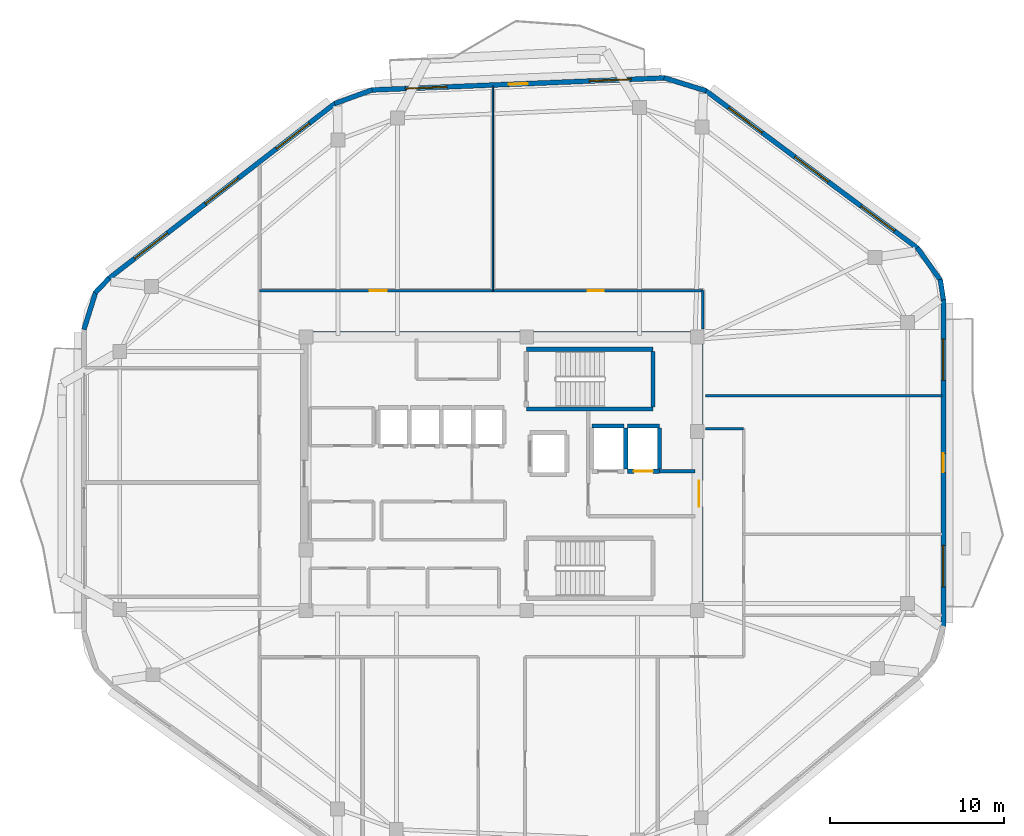
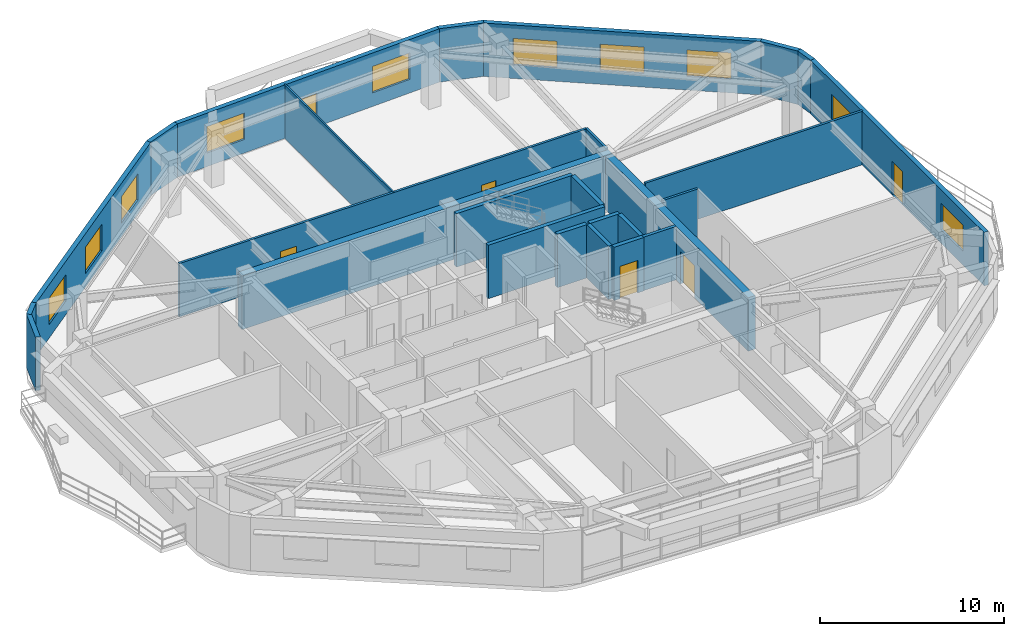
# One storey, part 10 of 13: 26 walls, 10 windows, 6 doors, 16 openings.
"""IFC4 building model written with IfcOpenShell, lengths in metres."""

from ifc_helpers import new_model, si_unit, direction, frame, frame_2d, origin, place, context, subcontext, project, spatial, rectangle, extrude, material, layer, layer_set, type_object, element, fill, save


model = new_model("IFC4")

# Units and contexts
model_context = context("Model", 3, precision=1e-05, world=origin(), true_north=direction((0.0, 1.0)))
body_context = subcontext(model_context, "Body", "Model", "MODEL_VIEW")
ifc_project = project(units=[si_unit("LENGTHUNIT", "METRE"), si_unit("AREAUNIT", "SQUARE_METRE"), si_unit("VOLUMEUNIT", "CUBIC_METRE"), si_unit("PLANEANGLEUNIT", "RADIAN"), si_unit("MASSUNIT", "GRAM", prefix="KILO")], contexts=[model_context])

# Site, building, storey
site_placement = place(None, origin())
site = spatial("IfcSite", under=ifc_project, at=site_placement, CompositionType="ELEMENT")
building_placement = place(site_placement, origin())
building = spatial("IfcBuilding", under=site, at=building_placement, Name="Zulverin Broadcast Headquarters", CompositionType="ELEMENT")
storey_placement = place(building_placement, frame((0.0, 0.0, 301.0)))
storey = spatial("IfcBuildingStorey", under=building, at=storey_placement, Name="L77", CompositionType="ELEMENT", Elevation=301.0)

# Wall
ifc_material_1 = material(Name="Concrete C50/60", Category="concrete")
ifc_layer_1 = layer(ifc_material_1, 0.449951171875, Name="Concrete C50/60", Category="concrete")
ifc_layer_set_1 = layer_set([ifc_layer_1], Name="Concrete C50/60")
wall_type_1 = type_object("IfcWallType", Name="WL-CORE-450", PredefinedType="SHEAR", material=ifc_layer_set_1)
wall_1_placement = place(storey_placement, frame((25.39990234375, 33.175048828125, 0.0), z_axis=(0.0, 0.0, 1.0), x_axis=(1.0, 0.0, 0.0)))
element("IfcWall", 1, at=wall_1_placement, inside=storey, type_object=wall_type_1, Name="L77 Core North Shear Wall", PredefinedType="SHEAR", context=body_context, shape_type="SweptSolid", body=[
    extrude(rectangle(XDim=23.2001953125, YDim=0.449951171875, at=frame_2d((11.60009765625, 0.0))), origin(), (0.0, 0.0, 1.0), 3.5400390625),
])

# Wall, opening, door
wall_2_placement = place(storey_placement, frame((48.375, 17.449951171875, 0.0), z_axis=(0.0, 0.0, 1.0), x_axis=(0.0, 1.0, 0.0)))
wall_2 = element("IfcWall", 2, at=wall_2_placement, inside=storey, type_object=wall_type_1, Name="L77 Core East Shear Wall", PredefinedType="SHEAR", context=body_context, shape_type="SweptSolid", body=[
    extrude(rectangle(XDim=15.5, YDim=0.449951171875, at=frame_2d((7.75, 0.0))), origin(), (0.0, 0.0, 1.0), 3.5400390625),
])
opening_1_placement = place(wall_2_placement, frame((5.85009765625, 0.0, 0.0)))
opening_1 = element("IfcOpeningElement", 3, at=opening_1_placement, cuts=wall_2, Name="Opening D-L77-CE1", PredefinedType="OPENING", context=body_context, shape_type="SweptSolid", body=[
    extrude(rectangle(XDim=1.5, YDim=2.14990234375, at=frame_2d((0.75, 1.074951171875))), frame((0.0, 0.23486328125, 0.0), z_axis=(0.0, -1.0, 0.0), x_axis=(1.0, 0.0, 0.0)), (0.0, 0.0, 1.0), 0.469970703125),
])
ifc_material_2 = material(Name="Fire-rated glazed steel frame", Category="steel")
door_type_1 = type_object("IfcDoorType", Name="DR-COR-1500", OperationType="DOUBLE_DOOR_SINGLE_SWING", PredefinedType="DOOR", material=ifc_material_2)
door_1_placement = place(opening_1_placement, origin())
door_1 = element("IfcDoor", 4, at=door_1_placement, inside=storey, type_object=door_type_1, Name="L77 Firefighting Lobby East Corridor Door", OperationType="DOUBLE_DOOR_SINGLE_SWING", OverallHeight=2.14990234375, OverallWidth=1.5, PredefinedType="DOOR", context=body_context, shape_type="SweptSolid", body=[
    extrude(rectangle(XDim=1.5, YDim=2.14990234375, at=frame_2d((0.75, 1.074951171875))), frame((0.0, 0.02490234375, 0.0), z_axis=(0.0, -1.0, 0.0), x_axis=(1.0, 0.0, 0.0)), (0.0, 0.0, 1.0), 0.050048828125),
])
fill(opening_1, door_1)

# Wall, openings, door, windows
ifc_material_3 = material(Name="Insulated pale-metal clad concrete spandrel C40/50", Category="concrete")
ifc_layer_2 = layer(ifc_material_3, 0.280029296875, Name="Insulated pale-metal clad concrete spandrel C40/50", Category="concrete")
ifc_layer_set_2 = layer_set([ifc_layer_2], Name="Insulated pale-metal clad concrete spandrel C40/50")
wall_type_2 = type_object("IfcWallType", Name="WL-EXT-280", PredefinedType="STANDARD", material=ifc_layer_set_2)
wall_3_placement = place(storey_placement, frame((62.4599609375, 16.3955078125, 0.0), z_axis=(0.0, 0.0, 1.0), x_axis=(0.0, 1.0, 0.0)))
wall_3 = element("IfcWall", 5, at=wall_3_placement, inside=storey, type_object=wall_type_2, Name="L77 Pale-Metal Clad Spandrel Wall 3", PredefinedType="STANDARD", context=body_context, shape_type="SweptSolid", body=[
    extrude(rectangle(XDim=18.8544921875, YDim=0.280029296875, at=frame_2d((9.42724609375, 0.0))), origin(), (0.0, 0.0, 1.0), 3.5400390625),
])
opening_2_placement = place(wall_3_placement, frame((8.877197265625, 0.0, 0.0)))
opening_2 = element("IfcOpeningElement", 6, at=opening_2_placement, cuts=wall_3, Name="Opening D-L77-TR3", PredefinedType="OPENING", context=body_context, shape_type="SweptSolid", body=[
    extrude(rectangle(XDim=1.10009765625, YDim=2.199951171875, at=frame_2d((0.550048828125, 1.10009765625))), frame((0.0, 0.14990234375, 0.0), z_axis=(0.0, -1.0, 0.0), x_axis=(1.0, 0.0, 0.0)), (0.0, 0.0, 1.0), 0.300048828125),
])
opening_3_placement = place(wall_3_placement, frame((2.27587890625, 0.0, 0.89990234375)))
opening_3 = element("IfcOpeningElement", 7, at=opening_3_placement, cuts=wall_3, Name="Opening W-L77-E31", PredefinedType="OPENING", context=body_context, shape_type="SweptSolid", body=[
    extrude(rectangle(XDim=2.39990234375, YDim=1.75, at=frame_2d((1.199951171875, 0.875))), frame((0.0, 0.14990234375, 0.0), z_axis=(0.0, -1.0, 0.0), x_axis=(1.0, 0.0, 0.0)), (0.0, 0.0, 1.0), 0.300048828125),
])
opening_4_placement = place(wall_3_placement, frame((14.1787109375, 0.0, 0.89990234375)))
opening_4 = element("IfcOpeningElement", 8, at=opening_4_placement, cuts=wall_3, Name="Opening W-L77-E32", PredefinedType="OPENING", context=body_context, shape_type="SweptSolid", body=[
    extrude(rectangle(XDim=2.39990234375, YDim=1.75, at=frame_2d((1.199951171875, 0.875))), frame((0.0, 0.14990234375, 0.0), z_axis=(0.0, -1.0, 0.0), x_axis=(1.0, 0.0, 0.0)), (0.0, 0.0, 1.0), 0.300048828125),
])
ifc_material_4 = material(Name="Thermally broken aluminium glazed", Category="aluminium")
door_type_2 = type_object("IfcDoorType", Name="DR-TERR-1100", OperationType="SINGLE_SWING_RIGHT", PredefinedType="DOOR", material=ifc_material_4)
door_2_placement = place(opening_2_placement, origin())
door_2 = element("IfcDoor", 9, at=door_2_placement, inside=storey, type_object=door_type_2, Name="L77 Planted Terrace Glazed Access Door 3", OperationType="SINGLE_SWING_RIGHT", OverallHeight=2.199951171875, OverallWidth=1.10009765625, PredefinedType="DOOR", context=body_context, shape_type="SweptSolid", body=[
    extrude(rectangle(XDim=1.10009765625, YDim=2.199951171875, at=frame_2d((0.550048828125, 1.10009765625))), frame((0.0, 0.02490234375, 0.0), z_axis=(0.0, -1.0, 0.0), x_axis=(1.0, 0.0, 0.0)), (0.0, 0.0, 1.0), 0.050048828125),
])
fill(opening_2, door_2)
ifc_material_5 = material(Name="Pale anodized aluminium frame with solar-control low-E double glazing", Category="aluminium")
window_type = type_object("IfcWindowType", Name="WIN-RIB-2400", PartitioningType="SINGLE_PANEL", PredefinedType="WINDOW", material=ifc_material_5)
window_1_placement = place(opening_3_placement, origin())
window_1 = element("IfcWindow", 10, at=window_1_placement, inside=storey, type_object=window_type, Name="L77 Ribbon Glazing Window 3 1", OverallHeight=1.75, OverallWidth=2.39990234375, PartitioningType="SINGLE_PANEL", PredefinedType="WINDOW", context=body_context, shape_type="SweptSolid", body=[
    extrude(rectangle(XDim=2.39990234375, YDim=1.75, at=frame_2d((1.199951171875, 0.875))), frame((0.0, 0.030029296875, 0.0), z_axis=(0.0, -1.0, 0.0), x_axis=(1.0, 0.0, 0.0)), (0.0, 0.0, 1.0), 0.06005859375),
])
fill(opening_3, window_1)
window_2_placement = place(opening_4_placement, origin())
window_2 = element("IfcWindow", 11, at=window_2_placement, inside=storey, type_object=window_type, Name="L77 Ribbon Glazing Window 3 2", OverallHeight=1.75, OverallWidth=2.39990234375, PartitioningType="SINGLE_PANEL", PredefinedType="WINDOW", context=body_context, shape_type="SweptSolid", body=[
    extrude(rectangle(XDim=2.39990234375, YDim=1.75, at=frame_2d((1.199951171875, 0.875))), frame((0.0, 0.030029296875, 0.0), z_axis=(0.0, -1.0, 0.0), x_axis=(1.0, 0.0, 0.0)), (0.0, 0.0, 1.0), 0.06005859375),
])
fill(opening_4, window_2)

# Wall, openings, windows
wall_4_placement = place(storey_placement, frame((60.98388671875, 38.187255859375, 0.0), z_axis=(0.0, 0.0, 1.0), x_axis=(-0.802485144343, 0.596672098484, 0.0)))
wall_4 = element("IfcWall", 12, at=wall_4_placement, inside=storey, type_object=wall_type_2, Name="L77 Pale-Metal Clad Spandrel Wall 4", PredefinedType="STANDARD", context=body_context, shape_type="SweptSolid", body=[
    extrude(rectangle(XDim=15.247802734375, YDim=0.280029296875, at=frame_2d((7.6240234375, 0.0))), origin(), (0.0, 0.0, 1.0), 3.5400390625),
])
opening_5_placement = place(wall_4_placement, frame((1.674560546875, 0.0, 0.89990234375)))
opening_5 = element("IfcOpeningElement", 13, at=opening_5_placement, cuts=wall_4, Name="Opening W-L77-E41", PredefinedType="OPENING", context=body_context, shape_type="SweptSolid", body=[
    extrude(rectangle(XDim=2.39990234375, YDim=1.75, at=frame_2d((1.199951171875, 0.875))), frame((0.0, 0.14990234375, 0.0), z_axis=(0.0, -1.0, 0.0), x_axis=(1.0, 0.0, 0.0)), (0.0, 0.0, 1.0), 0.300048828125),
])
opening_6_placement = place(wall_4_placement, frame((6.423828125, 0.0, 0.89990234375)))
opening_6 = element("IfcOpeningElement", 14, at=opening_6_placement, cuts=wall_4, Name="Opening W-L77-E42", PredefinedType="OPENING", context=body_context, shape_type="SweptSolid", body=[
    extrude(rectangle(XDim=2.39990234375, YDim=1.75, at=frame_2d((1.199951171875, 0.875))), frame((0.0, 0.14990234375, 0.0), z_axis=(0.0, -1.0, 0.0), x_axis=(1.0, 0.0, 0.0)), (0.0, 0.0, 1.0), 0.300048828125),
])
opening_7_placement = place(wall_4_placement, frame((11.173095703125, 0.0, 0.89990234375)))
opening_7 = element("IfcOpeningElement", 15, at=opening_7_placement, cuts=wall_4, Name="Opening W-L77-E43", PredefinedType="OPENING", context=body_context, shape_type="SweptSolid", body=[
    extrude(rectangle(XDim=2.39990234375, YDim=1.75, at=frame_2d((1.199951171875, 0.875))), frame((0.0, 0.14990234375, 0.0), z_axis=(0.0, -1.0, 0.0), x_axis=(1.0, 0.0, 0.0)), (0.0, 0.0, 1.0), 0.300048828125),
])
window_3_placement = place(opening_5_placement, origin())
window_3 = element("IfcWindow", 16, at=window_3_placement, inside=storey, type_object=window_type, Name="L77 Ribbon Glazing Window 4 1", OverallHeight=1.75, OverallWidth=2.39990234375, PartitioningType="SINGLE_PANEL", PredefinedType="WINDOW", context=body_context, shape_type="SweptSolid", body=[
    extrude(rectangle(XDim=2.39990234375, YDim=1.75, at=frame_2d((1.199951171875, 0.875))), frame((0.0, 0.030029296875, 0.0), z_axis=(0.0, -1.0, 0.0), x_axis=(1.0, 0.0, 0.0)), (0.0, 0.0, 1.0), 0.06005859375),
])
fill(opening_5, window_3)
window_4_placement = place(opening_6_placement, origin())
window_4 = element("IfcWindow", 17, at=window_4_placement, inside=storey, type_object=window_type, Name="L77 Ribbon Glazing Window 4 2", OverallHeight=1.75, OverallWidth=2.39990234375, PartitioningType="SINGLE_PANEL", PredefinedType="WINDOW", context=body_context, shape_type="SweptSolid", body=[
    extrude(rectangle(XDim=2.39990234375, YDim=1.75, at=frame_2d((1.199951171875, 0.875))), frame((0.0, 0.030029296875, 0.0), z_axis=(0.0, -1.0, 0.0), x_axis=(1.0, 0.0, 0.0)), (0.0, 0.0, 1.0), 0.06005859375),
])
fill(opening_6, window_4)
window_5_placement = place(opening_7_placement, origin())
window_5 = element("IfcWindow", 18, at=window_5_placement, inside=storey, type_object=window_type, Name="L77 Ribbon Glazing Window 4 3", OverallHeight=1.75, OverallWidth=2.39990234375, PartitioningType="SINGLE_PANEL", PredefinedType="WINDOW", context=body_context, shape_type="SweptSolid", body=[
    extrude(rectangle(XDim=2.39990234375, YDim=1.75, at=frame_2d((1.199951171875, 0.875))), frame((0.0, 0.030029296875, 0.0), z_axis=(0.0, -1.0, 0.0), x_axis=(1.0, 0.0, 0.0)), (0.0, 0.0, 1.0), 0.06005859375),
])
fill(opening_7, window_5)

# Wall, openings, door, windows
wall_5_placement = place(storey_placement, frame((46.413818359375, 48.0048828125, 0.0), z_axis=(0.0, 0.0, 1.0), x_axis=(-0.999156194126, -0.041071885021, 0.0)))
wall_5 = element("IfcWall", 19, at=wall_5_placement, inside=storey, type_object=wall_type_2, Name="L77 Pale-Metal Clad Spandrel Wall 5", PredefinedType="STANDARD", context=body_context, shape_type="SweptSolid", body=[
    extrude(rectangle(XDim=16.923095703125, YDim=0.280029296875, at=frame_2d((8.46142578125, 0.0))), origin(), (0.0, 0.0, 1.0), 3.5400390625),
])
opening_8_placement = place(wall_5_placement, frame((7.91162109375, 0.0, 0.0)))
opening_8 = element("IfcOpeningElement", 20, at=opening_8_placement, cuts=wall_5, Name="Opening D-L77-TR5", PredefinedType="OPENING", context=body_context, shape_type="SweptSolid", body=[
    extrude(rectangle(XDim=1.10009765625, YDim=2.199951171875, at=frame_2d((0.550048828125, 1.10009765625))), frame((0.0, 0.14990234375, 0.0), z_axis=(0.0, -1.0, 0.0), x_axis=(1.0, 0.0, 0.0)), (0.0, 0.0, 1.0), 0.300048828125),
])
opening_9_placement = place(wall_5_placement, frame((1.953857421875, 0.0, 0.89990234375)))
opening_9 = element("IfcOpeningElement", 21, at=opening_9_placement, cuts=wall_5, Name="Opening W-L77-E51", PredefinedType="OPENING", context=body_context, shape_type="SweptSolid", body=[
    extrude(rectangle(XDim=2.39990234375, YDim=1.75, at=frame_2d((1.199951171875, 0.875))), frame((0.0, 0.14990234375, 0.0), z_axis=(0.0, -1.0, 0.0), x_axis=(1.0, 0.0, 0.0)), (0.0, 0.0, 1.0), 0.300048828125),
])
opening_10_placement = place(wall_5_placement, frame((12.569091796875, 0.0, 0.89990234375)))
opening_10 = element("IfcOpeningElement", 22, at=opening_10_placement, cuts=wall_5, Name="Opening W-L77-E52", PredefinedType="OPENING", context=body_context, shape_type="SweptSolid", body=[
    extrude(rectangle(XDim=2.39990234375, YDim=1.75, at=frame_2d((1.199951171875, 0.875))), frame((0.0, 0.14990234375, 0.0), z_axis=(0.0, -1.0, 0.0), x_axis=(1.0, 0.0, 0.0)), (0.0, 0.0, 1.0), 0.300048828125),
])
door_3_placement = place(opening_8_placement, origin())
door_3 = element("IfcDoor", 23, at=door_3_placement, inside=storey, type_object=door_type_2, Name="L77 Planted Terrace Glazed Access Door 5", OperationType="SINGLE_SWING_RIGHT", OverallHeight=2.199951171875, OverallWidth=1.10009765625, PredefinedType="DOOR", context=body_context, shape_type="SweptSolid", body=[
    extrude(rectangle(XDim=1.10009765625, YDim=2.199951171875, at=frame_2d((0.550048828125, 1.10009765625))), frame((0.0, 0.02490234375, 0.0), z_axis=(0.0, -1.0, 0.0), x_axis=(1.0, 0.0, 0.0)), (0.0, 0.0, 1.0), 0.050048828125),
])
fill(opening_8, door_3)
window_6_placement = place(opening_9_placement, origin())
window_6 = element("IfcWindow", 24, at=window_6_placement, inside=storey, type_object=window_type, Name="L77 Ribbon Glazing Window 5 1", OverallHeight=1.75, OverallWidth=2.39990234375, PartitioningType="SINGLE_PANEL", PredefinedType="WINDOW", context=body_context, shape_type="SweptSolid", body=[
    extrude(rectangle(XDim=2.39990234375, YDim=1.75, at=frame_2d((1.199951171875, 0.875))), frame((0.0, 0.030029296875, 0.0), z_axis=(0.0, -1.0, 0.0), x_axis=(1.0, 0.0, 0.0)), (0.0, 0.0, 1.0), 0.06005859375),
])
fill(opening_9, window_6)
window_7_placement = place(opening_10_placement, origin())
window_7 = element("IfcWindow", 25, at=window_7_placement, inside=storey, type_object=window_type, Name="L77 Ribbon Glazing Window 5 2", OverallHeight=1.75, OverallWidth=2.39990234375, PartitioningType="SINGLE_PANEL", PredefinedType="WINDOW", context=body_context, shape_type="SweptSolid", body=[
    extrude(rectangle(XDim=2.39990234375, YDim=1.75, at=frame_2d((1.199951171875, 0.875))), frame((0.0, 0.030029296875, 0.0), z_axis=(0.0, -1.0, 0.0), x_axis=(1.0, 0.0, 0.0)), (0.0, 0.0, 1.0), 0.06005859375),
])
fill(opening_10, window_7)

# Wall, openings, windows
wall_6_placement = place(storey_placement, frame((27.4150390625, 46.54736328125, 0.0), z_axis=(0.0, 0.0, 1.0), x_axis=(-0.790789745248, -0.612087884875, 0.0)))
wall_6 = element("IfcWall", 26, at=wall_6_placement, inside=storey, type_object=wall_type_2, Name="L77 Pale-Metal Clad Spandrel Wall 6", PredefinedType="STANDARD", context=body_context, shape_type="SweptSolid", body=[
    extrude(rectangle(XDim=16.509033203125, YDim=0.280029296875, at=frame_2d((8.25439453125, 0.0))), origin(), (0.0, 0.0, 1.0), 3.5400390625),
])
opening_11_placement = place(wall_6_placement, frame((1.885009765625, 0.0, 0.89990234375)))
opening_11 = element("IfcOpeningElement", 27, at=opening_11_placement, cuts=wall_6, Name="Opening W-L77-E61", PredefinedType="OPENING", context=body_context, shape_type="SweptSolid", body=[
    extrude(rectangle(XDim=2.39990234375, YDim=1.75, at=frame_2d((1.199951171875, 0.875))), frame((0.0, 0.14990234375, 0.0), z_axis=(0.0, -1.0, 0.0), x_axis=(1.0, 0.0, 0.0)), (0.0, 0.0, 1.0), 0.300048828125),
])
opening_12_placement = place(wall_6_placement, frame((7.0546875, 0.0, 0.89990234375)))
opening_12 = element("IfcOpeningElement", 28, at=opening_12_placement, cuts=wall_6, Name="Opening W-L77-E62", PredefinedType="OPENING", context=body_context, shape_type="SweptSolid", body=[
    extrude(rectangle(XDim=2.39990234375, YDim=1.75, at=frame_2d((1.199951171875, 0.875))), frame((0.0, 0.14990234375, 0.0), z_axis=(0.0, -1.0, 0.0), x_axis=(1.0, 0.0, 0.0)), (0.0, 0.0, 1.0), 0.300048828125),
])
opening_13_placement = place(wall_6_placement, frame((12.224365234375, 0.0, 0.89990234375)))
opening_13 = element("IfcOpeningElement", 29, at=opening_13_placement, cuts=wall_6, Name="Opening W-L77-E63", PredefinedType="OPENING", context=body_context, shape_type="SweptSolid", body=[
    extrude(rectangle(XDim=2.39990234375, YDim=1.75, at=frame_2d((1.199951171875, 0.875))), frame((0.0, 0.14990234375, 0.0), z_axis=(0.0, -1.0, 0.0), x_axis=(1.0, 0.0, 0.0)), (0.0, 0.0, 1.0), 0.300048828125),
])
window_8_placement = place(opening_11_placement, origin())
window_8 = element("IfcWindow", 30, at=window_8_placement, inside=storey, type_object=window_type, Name="L77 Ribbon Glazing Window 6 1", OverallHeight=1.75, OverallWidth=2.39990234375, PartitioningType="SINGLE_PANEL", PredefinedType="WINDOW", context=body_context, shape_type="SweptSolid", body=[
    extrude(rectangle(XDim=2.39990234375, YDim=1.75, at=frame_2d((1.199951171875, 0.875))), frame((0.0, 0.030029296875, 0.0), z_axis=(0.0, -1.0, 0.0), x_axis=(1.0, 0.0, 0.0)), (0.0, 0.0, 1.0), 0.06005859375),
])
fill(opening_11, window_8)
window_9_placement = place(opening_12_placement, origin())
window_9 = element("IfcWindow", 31, at=window_9_placement, inside=storey, type_object=window_type, Name="L77 Ribbon Glazing Window 6 2", OverallHeight=1.75, OverallWidth=2.39990234375, PartitioningType="SINGLE_PANEL", PredefinedType="WINDOW", context=body_context, shape_type="SweptSolid", body=[
    extrude(rectangle(XDim=2.39990234375, YDim=1.75, at=frame_2d((1.199951171875, 0.875))), frame((0.0, 0.030029296875, 0.0), z_axis=(0.0, -1.0, 0.0), x_axis=(1.0, 0.0, 0.0)), (0.0, 0.0, 1.0), 0.06005859375),
])
fill(opening_12, window_9)
window_10_placement = place(opening_13_placement, origin())
window_10 = element("IfcWindow", 32, at=window_10_placement, inside=storey, type_object=window_type, Name="L77 Ribbon Glazing Window 6 3", OverallHeight=1.75, OverallWidth=2.39990234375, PartitioningType="SINGLE_PANEL", PredefinedType="WINDOW", context=body_context, shape_type="SweptSolid", body=[
    extrude(rectangle(XDim=2.39990234375, YDim=1.75, at=frame_2d((1.199951171875, 0.875))), frame((0.0, 0.030029296875, 0.0), z_axis=(0.0, -1.0, 0.0), x_axis=(1.0, 0.0, 0.0)), (0.0, 0.0, 1.0), 0.06005859375),
])
fill(opening_13, window_10)

# Walls
wall_7_placement = place(storey_placement, frame((62.461669921875, 35.228515625, 0.0), z_axis=(0.0, 0.0, 1.0), x_axis=(-0.15458604025, 0.987979329824, 0.0)))
element("IfcWall", 33, at=wall_7_placement, inside=storey, type_object=wall_type_2, Name="L77 Wind-Shaped Corner Spandrel Wall 3-1", PredefinedType="STANDARD", context=body_context, shape_type="SweptSolid", body=[
    extrude(rectangle(XDim=1.175048828125, YDim=0.280029296875, at=frame_2d((0.58740234375, 0.0))), origin(), (0.0, 0.0, 1.0), 3.5400390625),
])
wall_8_placement = place(storey_placement, frame((62.304443359375, 36.32958984375, 0.0), z_axis=(0.0, 0.0, 1.0), x_axis=(-0.581795068472, 0.81333541562, 0.0)))
element("IfcWall", 34, at=wall_8_placement, inside=storey, type_object=wall_type_2, Name="L77 Wind-Shaped Corner Spandrel Wall 3-2", PredefinedType="STANDARD", context=body_context, shape_type="SweptSolid", body=[
    extrude(rectangle(XDim=2.32177734375, YDim=0.280029296875, at=frame_2d((1.160888671875, 0.0))), origin(), (0.0, 0.0, 1.0), 3.5400390625),
])
wall_9_placement = place(storey_placement, frame((48.7900390625, 47.263671875, 0.0), z_axis=(0.0, 0.0, 1.0), x_axis=(-0.955593560977, 0.294687879322, 0.0)))
element("IfcWall", 35, at=wall_9_placement, inside=storey, type_object=wall_type_2, Name="L77 Wind-Shaped Corner Spandrel Wall 4-1", PredefinedType="STANDARD", context=body_context, shape_type="SweptSolid", body=[
    extrude(rectangle(XDim=2.535888671875, YDim=0.280029296875, at=frame_2d((1.26806640625, 0.0))), origin(), (0.0, 0.0, 1.0), 3.5400390625),
])
wall_10_placement = place(storey_placement, frame((29.547119140625, 47.318359375, 0.0), z_axis=(0.0, 0.0, 1.0), x_axis=(-0.93940703724, -0.342803760748, 0.0)))
element("IfcWall", 36, at=wall_10_placement, inside=storey, type_object=wall_type_2, Name="L77 Wind-Shaped Corner Spandrel Wall 5-1", PredefinedType="STANDARD", context=body_context, shape_type="SweptSolid", body=[
    extrude(rectangle(XDim=2.3095703125, YDim=0.280029296875, at=frame_2d((1.15478515625, 0.0))), origin(), (0.0, 0.0, 1.0), 3.5400390625),
])
wall_11_placement = place(storey_placement, frame((14.37548828125, 36.45654296875, 0.0), z_axis=(0.0, 0.0, 1.0), x_axis=(-0.68895569752, -0.724803453948, 0.0)))
element("IfcWall", 37, at=wall_11_placement, inside=storey, type_object=wall_type_2, Name="L77 Wind-Shaped Corner Spandrel Wall 6-1", PredefinedType="STANDARD", context=body_context, shape_type="SweptSolid", body=[
    extrude(rectangle(XDim=1.15087890625, YDim=0.280029296875, at=frame_2d((0.575439453125, 0.0))), origin(), (0.0, 0.0, 1.0), 3.5400390625),
])
wall_12_placement = place(storey_placement, frame((13.61474609375, 35.677001953125, 0.0), z_axis=(0.0, 0.0, 1.0), x_axis=(-0.299374552426, -0.954135670311, 0.0)))
element("IfcWall", 38, at=wall_12_placement, inside=storey, type_object=wall_type_2, Name="L77 Wind-Shaped Corner Spandrel Wall 6-2", PredefinedType="STANDARD", context=body_context, shape_type="SweptSolid", body=[
    extrude(rectangle(XDim=2.275146484375, YDim=0.280029296875, at=frame_2d((1.1376953125, 0.0))), origin(), (0.0, 0.0, 1.0), 3.5400390625),
])
ifc_material_6 = material(Name="Concrete C40/50", Category="concrete")
ifc_layer_3 = layer(ifc_material_6, 0.199951171875, Name="Concrete C40/50", Category="concrete")
ifc_layer_set_3 = layer_set([ifc_layer_3], Name="Concrete C40/50")
wall_type_3 = type_object("IfcWallType", Name="WL-FFL-200", PredefinedType="SOLIDWALL", material=ifc_layer_set_3)
wall_13_placement = place(storey_placement, frame((46.10009765625, 25.35009765625, 0.0), z_axis=(0.0, 0.0, 1.0), x_axis=(1.0, 0.0, 0.0)))
element("IfcWall", 39, at=wall_13_placement, inside=storey, type_object=wall_type_3, Name="L77 Firefighting Lift Lobby North Wall", PredefinedType="SOLIDWALL", context=body_context, shape_type="SweptSolid", body=[
    extrude(rectangle(XDim=2.0498046875, YDim=0.199951171875, at=frame_2d((1.02490234375, 0.0))), origin(), (0.0, 0.0, 1.0), 3.5400390625),
])
ifc_material_7 = material(Name="Fire-rated acoustic laminated glass screen", Category="glass")
ifc_layer_4 = layer(ifc_material_7, 0.10009765625, Name="Fire-rated acoustic laminated glass screen", Category="glass")
ifc_layer_set_4 = layer_set([ifc_layer_4], Name="Fire-rated acoustic laminated glass screen")
wall_type_4 = type_object("IfcWallType", Name="WL-GLAZ-100", PredefinedType="PARTITIONING", material=ifc_layer_set_4)
wall_14_placement = place(storey_placement, frame((36.5, 35.75, 0.0), z_axis=(0.0, 0.0, 1.0), x_axis=(0.0, 1.0, 0.0)))
element("IfcWall", 40, at=wall_14_placement, inside=storey, type_object=wall_type_4, Name="L77 Room Partition Wall RP-05", PredefinedType="PARTITIONING", context=body_context, shape_type="SweptSolid", body=[
    extrude(rectangle(XDim=11.78271484375, YDim=0.10009765625, at=frame_2d((5.891357421875, 0.0))), origin(), (0.0, 0.0, 1.0), 3.5400390625),
])
ifc_material_8 = material(Name="Fire-rated gypsum stud partition", Category="gypsum")
ifc_layer_5 = layer(ifc_material_8, 0.14990234375, Name="Fire-rated gypsum stud partition", Category="gypsum")
ifc_layer_set_5 = layer_set([ifc_layer_5], Name="Fire-rated gypsum stud partition")
wall_type_5 = type_object("IfcWallType", Name="WL-PART-150", PredefinedType="PARTITIONING", material=ifc_layer_set_5)
for number, where, z_axis, x_axis, name in (
    (41, (48.60009765625, 33.5400390625, 0.0), (0.0, 0.0, 1.0), (0.0, 1.0, 0.0), "L77 Gallery Partition Wall CG-02"),
    (42, (48.739990234375, 27.800048828125, 0.0), (0.0, 0.0, 1.0), (1.0, 0.0, 0.0), "L77 Gallery Partition Wall CG-15"),
):
    element("IfcWall", number, at=place(storey_placement, frame(where, z_axis=z_axis, x_axis=x_axis)), inside=storey, type_object=wall_type_5, Name=name, PredefinedType="PARTITIONING", context=body_context, shape_type="SweptSolid", body=[
        extrude(rectangle(XDim=2.2099609375, YDim=0.14990234375, at=frame_2d((1.10498046875, 0.0))), origin(), (0.0, 0.0, 1.0), 3.5400390625),
    ])
wall_15_placement = place(storey_placement, frame((48.739990234375, 29.699951171875, 0.0), z_axis=(0.0, 0.0, 1.0), x_axis=(1.0, 0.0, 0.0)))
element("IfcWall", 43, at=wall_15_placement, inside=storey, type_object=wall_type_5, Name="L77 Room Partition Wall RP-16", PredefinedType="PARTITIONING", context=body_context, shape_type="SweptSolid", body=[
    extrude(rectangle(XDim=13.655029296875, YDim=0.14990234375, at=frame_2d((6.82763671875, 0.0))), origin(), (0.0, 0.0, 1.0), 3.5400390625),
])

# Wall, openings, doors
wall_16_placement = place(storey_placement, frame((23.050048828125, 35.75, 0.0), z_axis=(0.0, 0.0, 1.0), x_axis=(1.0, 0.0, 0.0)))
wall_16 = element("IfcWall", 44, at=wall_16_placement, inside=storey, type_object=wall_type_5, Name="L77 Gallery Partition Wall CG-18", PredefinedType="PARTITIONING", context=body_context, shape_type="SweptSolid", body=[
    extrude(rectangle(XDim=25.550048828125, YDim=0.14990234375, at=frame_2d((12.77490234375, 0.0))), origin(), (0.0, 0.0, 1.0), 3.5400390625),
])
opening_14_placement = place(wall_16_placement, frame((6.344970703125, 0.0, 0.0)))
opening_14 = element("IfcOpeningElement", 45, at=opening_14_placement, cuts=wall_16, Name="Opening D-L77-01", PredefinedType="OPENING", context=body_context, shape_type="SweptSolid", body=[
    extrude(rectangle(XDim=1.0, YDim=2.1201171875, at=frame_2d((0.5, 1.06005859375))), frame((0.0, 0.0849609375, 0.0), z_axis=(0.0, -1.0, 0.0), x_axis=(1.0, 0.0, 0.0)), (0.0, 0.0, 1.0), 0.169921875),
])
opening_15_placement = place(wall_16_placement, frame((18.929931640625, 0.0, 0.0)))
opening_15 = element("IfcOpeningElement", 46, at=opening_15_placement, cuts=wall_16, Name="Opening D-L77-02", PredefinedType="OPENING", context=body_context, shape_type="SweptSolid", body=[
    extrude(rectangle(XDim=0.89990234375, YDim=2.10009765625, at=frame_2d((0.449951171875, 1.050048828125))), frame((0.0, 0.0849609375, 0.0), z_axis=(0.0, -1.0, 0.0), x_axis=(1.0, 0.0, 0.0)), (0.0, 0.0, 1.0), 0.169921875),
])
ifc_material_9 = material(Name="Hardwood veneer acoustic leaf", Category="wood")
door_type_3 = type_object("IfcDoorType", Name="DR-OFF-1000", OperationType="SINGLE_SWING_LEFT", PredefinedType="DOOR", material=ifc_material_9)
door_4_placement = place(opening_14_placement, origin())
door_4 = element("IfcDoor", 47, at=door_4_placement, inside=storey, type_object=door_type_3, Name="L77 Amenity Management Office Door", OperationType="SINGLE_SWING_LEFT", OverallHeight=2.1201171875, OverallWidth=1.0, PredefinedType="DOOR", context=body_context, shape_type="SweptSolid", body=[
    extrude(rectangle(XDim=1.0, YDim=2.1201171875, at=frame_2d((0.5, 1.06005859375))), frame((0.0, 0.02490234375, 0.0), z_axis=(0.0, -1.0, 0.0), x_axis=(1.0, 0.0, 0.0)), (0.0, 0.0, 1.0), 0.050048828125),
])
fill(opening_14, door_4)
ifc_material_10 = material(Name="Fire-rated hardwood veneer timber leaf", Category="wood")
door_type_4 = type_object("IfcDoorType", Name="DR-ROOM-900", OperationType="SINGLE_SWING_RIGHT", PredefinedType="DOOR", material=ifc_material_10)
door_5_placement = place(opening_15_placement, origin())
door_5 = element("IfcDoor", 48, at=door_5_placement, inside=storey, type_object=door_type_4, Name="L77 Club Committee Meeting Room Door", OperationType="SINGLE_SWING_RIGHT", OverallHeight=2.10009765625, OverallWidth=0.89990234375, PredefinedType="DOOR", context=body_context, shape_type="SweptSolid", body=[
    extrude(rectangle(XDim=0.89990234375, YDim=2.10009765625, at=frame_2d((0.449951171875, 1.050048828125))), frame((0.0, 0.02490234375, 0.0), z_axis=(0.0, -1.0, 0.0), x_axis=(1.0, 0.0, 0.0)), (0.0, 0.0, 1.0), 0.050048828125),
])
fill(opening_15, door_5)

# Walls
ifc_layer_6 = layer(ifc_material_1, 0.25, Name="Concrete C50/60", Category="concrete")
ifc_layer_set_6 = layer_set([ifc_layer_6], Name="Concrete C50/60")
wall_type_6 = type_object("IfcWallType", Name="WL-SHAFT-250", PredefinedType="SHEAR", material=ifc_layer_set_6)
for number, where, z_axis, x_axis, name in (
    (49, (38.425048828125, 28.925048828125, 0.0), (0.0, 0.0, 1.0), (1.0, 0.0, 0.0), "L77 ST-1 Enclosure Wall S"),
    (50, (38.425048828125, 32.375, 0.0), (0.0, 0.0, 1.0), (1.0, 0.0, 0.0), "L77 ST-1 Enclosure Wall N"),
):
    element("IfcWall", number, at=place(storey_placement, frame(where, z_axis=z_axis, x_axis=x_axis)), inside=storey, type_object=wall_type_6, Name=name, PredefinedType="SHEAR", context=body_context, shape_type="SweptSolid", body=[
        extrude(rectangle(XDim=7.300048828125, YDim=0.25, at=frame_2d((3.64990234375, 0.0))), origin(), (0.0, 0.0, 1.0), 3.5400390625),
    ])
wall_17_placement = place(storey_placement, frame((45.72509765625, 29.050048828125, 0.0), z_axis=(0.0, 0.0, 1.0), x_axis=(0.0, 1.0, 0.0)))
element("IfcWall", 51, at=wall_17_placement, inside=storey, type_object=wall_type_6, Name="L77 ST-1 Enclosure Wall E", PredefinedType="SHEAR", context=body_context, shape_type="SweptSolid", body=[
    extrude(rectangle(XDim=3.199951171875, YDim=0.25, at=frame_2d((1.60009765625, 0.0))), origin(), (0.0, 0.0, 1.0), 3.5400390625),
])
wall_18_placement = place(storey_placement, frame((42.199951171875, 27.949951171875, 0.0), z_axis=(0.0, 0.0, 1.0), x_axis=(1.0, 0.0, 0.0)))
element("IfcWall", 52, at=wall_18_placement, inside=storey, type_object=wall_type_6, Name="L77 Lift FFL-1 Shaft Wall N", PredefinedType="SHEAR", context=body_context, shape_type="SweptSolid", body=[
    extrude(rectangle(XDim=1.85009765625, YDim=0.25, at=frame_2d((0.925048828125, 0.0))), origin(), (0.0, 0.0, 1.0), 3.5400390625),
])
wall_19_placement = place(storey_placement, frame((44.14990234375, 25.469970703125, 0.0), z_axis=(0.0, 0.0, 1.0), x_axis=(0.0, 1.0, 0.0)))
element("IfcWall", 53, at=wall_19_placement, inside=storey, type_object=wall_type_6, Name="L77 Lift FFL-1 Shaft Wall E", PredefinedType="SHEAR", context=body_context, shape_type="SweptSolid", body=[
    extrude(rectangle(XDim=2.360107421875, YDim=0.25, at=frame_2d((1.18017578125, 0.0))), origin(), (0.0, 0.0, 1.0), 3.5400390625),
])

# Wall, opening, door
wall_20_placement = place(storey_placement, frame((44.25, 25.35009765625, 0.0), z_axis=(0.0, 0.0, 1.0), x_axis=(1.0, 0.0, 0.0)))
wall_20 = element("IfcWall", 54, at=wall_20_placement, inside=storey, type_object=wall_type_6, Name="L77 Lift FFL-2 Shaft Wall S", PredefinedType="SHEAR", context=body_context, shape_type="SweptSolid", body=[
    extrude(rectangle(XDim=1.85009765625, YDim=0.25, at=frame_2d((0.925048828125, 0.0))), origin(), (0.0, 0.0, 1.0), 3.5400390625),
])
opening_16_placement = place(wall_20_placement, frame((0.375, 0.0, 0.0)))
opening_16 = element("IfcOpeningElement", 55, at=opening_16_placement, cuts=wall_20, Name="Opening LD-FFL-2-L77", PredefinedType="OPENING", context=body_context, shape_type="SweptSolid", body=[
    extrude(rectangle(XDim=1.10009765625, YDim=2.14990234375, at=frame_2d((0.550048828125, 1.074951171875))), frame((0.0, 0.135009765625, 0.0), z_axis=(0.0, -1.0, 0.0), x_axis=(1.0, 0.0, 0.0)), (0.0, 0.0, 1.0), 0.27001953125),
])
ifc_material_11 = material(Name="Fire-rated stainless landing door", Category="steel")
door_type_5 = type_object("IfcDoorType", Name="LD-FFL-1100", OperationType="DOUBLE_DOOR_SLIDING", PredefinedType="DOOR", material=ifc_material_11)
door_6_placement = place(opening_16_placement, origin())
door_6 = element("IfcDoor", 56, at=door_6_placement, inside=storey, type_object=door_type_5, Name="L77 Lift FFL-2 Sliding Landing Door", OperationType="DOUBLE_DOOR_SLIDING", OverallHeight=2.14990234375, OverallWidth=1.10009765625, PredefinedType="DOOR", context=body_context, shape_type="SweptSolid", body=[
    extrude(rectangle(XDim=1.10009765625, YDim=2.14990234375, at=frame_2d((0.550048828125, 1.074951171875))), frame((0.0, 0.02490234375, 0.0), z_axis=(0.0, -1.0, 0.0), x_axis=(1.0, 0.0, 0.0)), (0.0, 0.0, 1.0), 0.050048828125),
])
fill(opening_16, door_6)

# Walls
wall_21_placement = place(storey_placement, frame((44.25, 27.949951171875, 0.0), z_axis=(0.0, 0.0, 1.0), x_axis=(1.0, 0.0, 0.0)))
element("IfcWall", 57, at=wall_21_placement, inside=storey, type_object=wall_type_6, Name="L77 Lift FFL-2 Shaft Wall N", PredefinedType="SHEAR", context=body_context, shape_type="SweptSolid", body=[
    extrude(rectangle(XDim=1.85009765625, YDim=0.25, at=frame_2d((0.925048828125, 0.0))), origin(), (0.0, 0.0, 1.0), 3.5400390625),
])
wall_22_placement = place(storey_placement, frame((46.10009765625, 25.469970703125, 0.0), z_axis=(0.0, 0.0, 1.0), x_axis=(0.0, 1.0, 0.0)))
element("IfcWall", 58, at=wall_22_placement, inside=storey, type_object=wall_type_6, Name="L77 Lift FFL-2 Shaft Wall E", PredefinedType="SHEAR", context=body_context, shape_type="SweptSolid", body=[
    extrude(rectangle(XDim=2.360107421875, YDim=0.25, at=frame_2d((1.18017578125, 0.0))), origin(), (0.0, 0.0, 1.0), 3.5400390625),
])

save(model, "model.ifc")
